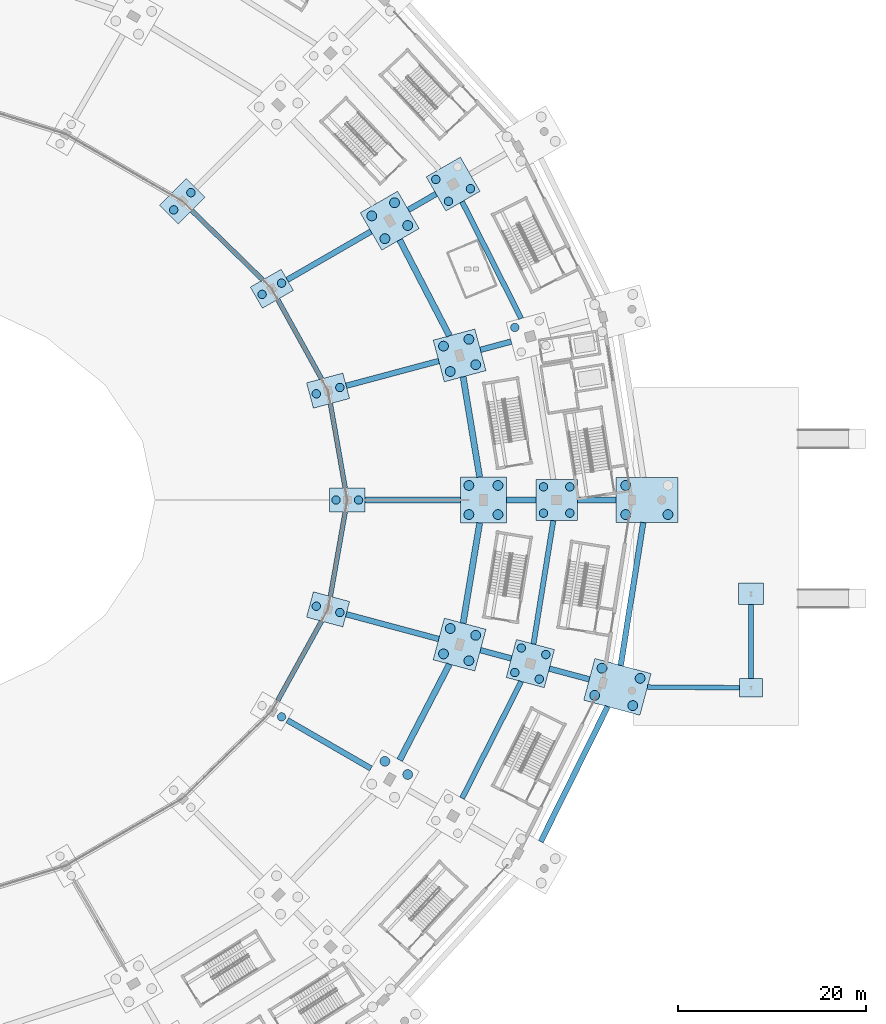
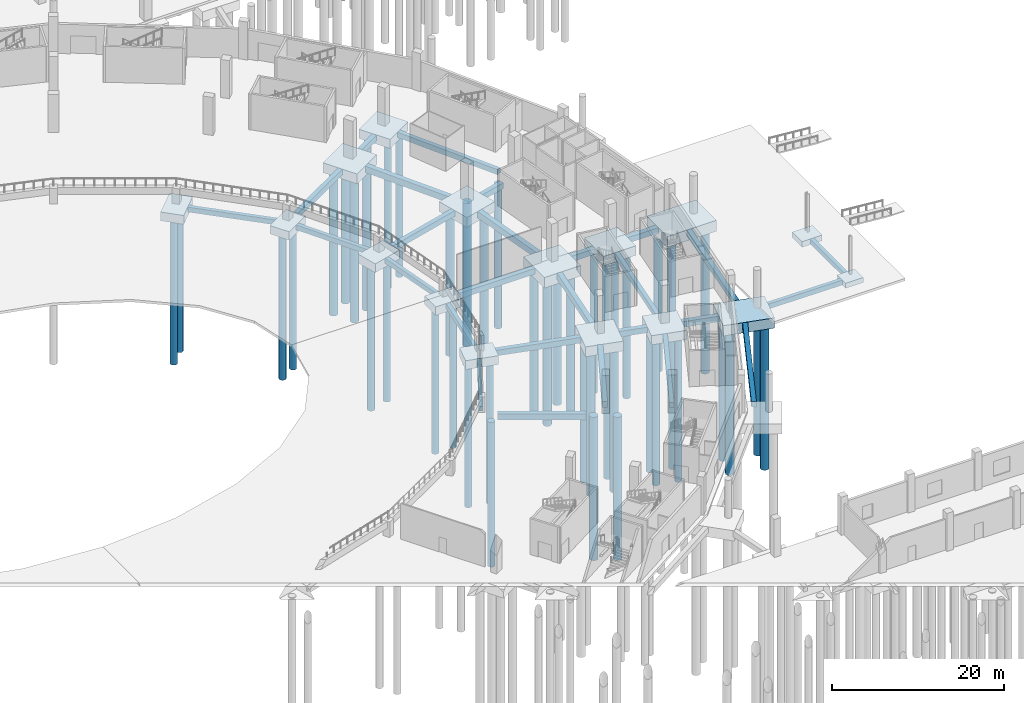
# One storey, part 8 of 103: 48 piles, 43 footings.
"""IFC4 building model written with IfcOpenShell, lengths in metres."""

from ifc_helpers import new_model, si_unit, direction, frame, origin, origin_2d, place, context, subcontext, project, spatial, rectangle, circle, extrude, material, material_profile, profile_set, type_object, element, save


model = new_model("IFC4")

# Units and contexts
model_context = context("Model", 3, precision=1e-05, world=origin(), true_north=direction((0.0, 1.0)))
body_context = subcontext(model_context, "Body", "Model", "MODEL_VIEW")
ifc_project = project(units=[si_unit("LENGTHUNIT", "METRE"), si_unit("AREAUNIT", "SQUARE_METRE"), si_unit("VOLUMEUNIT", "CUBIC_METRE"), si_unit("PLANEANGLEUNIT", "RADIAN"), si_unit("MASSUNIT", "GRAM", prefix="KILO")], contexts=[model_context])

# Site, building, storey
site_placement = place(None, origin())
site = spatial("IfcSite", under=ifc_project, at=site_placement, CompositionType="ELEMENT")
building_placement = place(site_placement, origin())
building = spatial("IfcBuilding", under=site, at=building_placement, Name="Zevraka Park Crest Stadium", CompositionType="ELEMENT")
storey_placement = place(building_placement, origin())
storey = spatial("IfcBuildingStorey", under=building, at=storey_placement, Name="L00", CompositionType="ELEMENT", Elevation=0.0)

# Footings
ifc_material_1 = material(Name="Concrete C35/45", Category="concrete")
ifc_material_profile_1 = material_profile(ifc_material_1, rectangle(XDim=0.60009765625, YDim=0.800048828125, at=origin_2d()), Name="GB 800x600")
ifc_profile_set_1 = profile_set([ifc_material_profile_1], Name="Concrete C35/45")
footing_type_1 = type_object("IfcFootingType", Name="GB01", PredefinedType="FOOTING_BEAM", material=ifc_profile_set_1)
footing_1_placement = place(storey_placement, frame((173.89990234375, 92.0, -0.75), z_axis=(1.0, 0.0, 0.0), x_axis=(0.0, 1.0, 0.0)))
element("IfcFooting", 1, at=footing_1_placement, inside=storey, type_object=footing_type_1, Name="Ground Tie Beam GB01 RAD-AB-00", PredefinedType="FOOTING_BEAM", context=body_context, shape_type="SweptSolid", body=[
    extrude(rectangle(XDim=0.60009765625, YDim=0.800048828125, at=origin_2d()), origin(), (0.0, 0.0, 1.0), 10.150146484375),
])
footing_2_placement = place(storey_placement, frame((188.949951171875, 92.0, -0.75), z_axis=(1.0, 0.0, 0.0), x_axis=(0.0, 1.0, 0.0)))
element("IfcFooting", 2, at=footing_2_placement, inside=storey, type_object=footing_type_1, Name="Ground Tie Beam GB01 RAD-BC-00", PredefinedType="FOOTING_BEAM", context=body_context, shape_type="SweptSolid", body=[
    extrude(rectangle(XDim=0.60009765625, YDim=0.800048828125, at=origin_2d()), origin(), (0.0, 0.0, 1.0), 3.150146484375),
])
footing_3_placement = place(storey_placement, frame((196.5, 92.0, -0.75), z_axis=(1.0, 0.0, 0.0), x_axis=(0.0, 1.0, 0.0)))
element("IfcFooting", 3, at=footing_3_placement, inside=storey, type_object=footing_type_1, Name="Ground Tie Beam GB01 RAD-CDE-00", PredefinedType="FOOTING_BEAM", context=body_context, shape_type="SweptSolid", body=[
    extrude(rectangle(XDim=0.60009765625, YDim=0.800048828125, at=origin_2d()), origin(), (0.0, 0.0, 1.0), 4.10009765625),
])
footing_4_placement = place(storey_placement, frame((171.887939453125, 104.1650390625, -0.75), z_axis=(0.965918344594, 0.258846965554, 0.0), x_axis=(-0.258846965554, 0.965918344594, 0.0)))
element("IfcFooting", 4, at=footing_4_placement, inside=storey, type_object=footing_type_1, Name="Ground Tie Beam GB01 RAD-AB-01", PredefinedType="FOOTING_BEAM", context=body_context, shape_type="SweptSolid", body=[
    extrude(rectangle(XDim=0.60009765625, YDim=0.800048828125, at=origin_2d()), origin(), (0.0, 0.0, 1.0), 10.19873046875),
])
footing_5_placement = place(storey_placement, frame((186.18310546875, 107.9951171875, -0.75), z_axis=(0.965948371903, 0.258734889063, 0.0), x_axis=(-0.258734889063, 0.965948371903, 0.0)))
element("IfcFooting", 5, at=footing_5_placement, inside=storey, type_object=footing_type_1, Name="Ground Tie Beam GB01 RAD-BC-01", PredefinedType="FOOTING_BEAM", context=body_context, shape_type="SweptSolid", body=[
    extrude(rectangle(XDim=0.60009765625, YDim=0.800048828125, at=origin_2d()), origin(), (0.0, 0.0, 1.0), 3.400634765625),
])
footing_6_placement = place(storey_placement, frame((165.60693359375, 115.449951171875, -0.75), z_axis=(0.866021778534, 0.500006279065, 0.0), x_axis=(-0.500006279065, 0.866021778534, 0.0)))
element("IfcFooting", 6, at=footing_6_placement, inside=storey, type_object=footing_type_1, Name="Ground Tie Beam GB01 RAD-AB-02", PredefinedType="FOOTING_BEAM", context=body_context, shape_type="SweptSolid", body=[
    extrude(rectangle(XDim=0.60009765625, YDim=0.800048828125, at=origin_2d()), origin(), (0.0, 0.0, 1.0), 10.300048828125),
])
footing_7_placement = place(storey_placement, frame((178.510986328125, 122.89990234375, -0.75), z_axis=(0.865971507594, 0.500093339322, 0.0), x_axis=(-0.500093339322, 0.865971507594, 0.0)))
element("IfcFooting", 7, at=footing_7_placement, inside=storey, type_object=footing_type_1, Name="Ground Tie Beam GB01 RAD-BC-02", PredefinedType="FOOTING_BEAM", context=body_context, shape_type="SweptSolid", body=[
    extrude(rectangle(XDim=0.60009765625, YDim=0.800048828125, at=origin_2d()), origin(), (0.0, 0.0, 1.0), 3.399658203125),
])
footing_8_placement = place(storey_placement, frame((165.60693359375, 68.550048828125, -0.75), z_axis=(0.866021778534, -0.500006279065, 0.0), x_axis=(0.500006279065, 0.866021778534, 0.0)))
element("IfcFooting", 8, at=footing_8_placement, inside=storey, type_object=footing_type_1, Name="Ground Tie Beam GB01 RAD-AB-22", PredefinedType="FOOTING_BEAM", context=body_context, shape_type="SweptSolid", body=[
    extrude(rectangle(XDim=0.60009765625, YDim=0.800048828125, at=origin_2d()), origin(), (0.0, 0.0, 1.0), 10.300048828125),
])
footing_9_placement = place(storey_placement, frame((192.610107421875, 55.615966796875, -0.75), z_axis=(0.443637192232, 0.896206472677, 0.0), x_axis=(-0.896206472677, 0.443637192232, 0.0)))
element("IfcFooting", 9, at=footing_9_placement, inside=storey, type_object=footing_type_1, Name="Ground Tie Beam GB01 CIR-DE-22", PredefinedType="FOOTING_BEAM", context=body_context, shape_type="SweptSolid", body=[
    extrude(rectangle(XDim=0.60009765625, YDim=0.800048828125, at=origin_2d()), origin(), (0.0, 0.0, 1.0), 16.04443359375),
])
footing_10_placement = place(storey_placement, frame((171.887939453125, 79.8349609375, -0.75), z_axis=(0.965918344594, -0.258846965554, 0.0), x_axis=(0.258846965554, 0.965918344594, 0.0)))
element("IfcFooting", 10, at=footing_10_placement, inside=storey, type_object=footing_type_1, Name="Ground Tie Beam GB01 RAD-AB-23", PredefinedType="FOOTING_BEAM", context=body_context, shape_type="SweptSolid", body=[
    extrude(rectangle(XDim=0.60009765625, YDim=0.800048828125, at=origin_2d()), origin(), (0.0, 0.0, 1.0), 10.19873046875),
])
footing_11_placement = place(storey_placement, frame((186.18310546875, 76.0048828125, -0.75), z_axis=(0.965948371903, -0.258734889063, 0.0), x_axis=(0.258734889063, 0.965948371903, 0.0)))
element("IfcFooting", 11, at=footing_11_placement, inside=storey, type_object=footing_type_1, Name="Ground Tie Beam GB01 RAD-BC-23", PredefinedType="FOOTING_BEAM", context=body_context, shape_type="SweptSolid", body=[
    extrude(rectangle(XDim=0.60009765625, YDim=0.800048828125, at=origin_2d()), origin(), (0.0, 0.0, 1.0), 3.400634765625),
])
footing_12_placement = place(storey_placement, frame((193.52392578125, 74.0380859375, -0.75), z_axis=(0.965919326313, -0.258843302124, 0.0), x_axis=(0.258843302124, 0.965919326313, 0.0)))
element("IfcFooting", 12, at=footing_12_placement, inside=storey, type_object=footing_type_1, Name="Ground Tie Beam GB01 RAD-CDE-23", PredefinedType="FOOTING_BEAM", context=body_context, shape_type="SweptSolid", body=[
    extrude(rectangle(XDim=0.60009765625, YDim=0.800048828125, at=origin_2d()), origin(), (0.0, 0.0, 1.0), 4.40087890625),
])
footing_13_placement = place(storey_placement, frame((201.1279296875, 74.382080078125, -0.75), z_axis=(0.155405085969, 0.987850828443, 0.0), x_axis=(-0.987850828443, 0.155405085969, 0.0)))
element("IfcFooting", 13, at=footing_13_placement, inside=storey, type_object=footing_type_1, Name="Ground Tie Beam GB01 CIR-DE-23", PredefinedType="FOOTING_BEAM", context=body_context, shape_type="SweptSolid", body=[
    extrude(rectangle(XDim=0.60009765625, YDim=0.800048828125, at=origin_2d()), origin(), (0.0, 0.0, 1.0), 15.4052734375),
])
ifc_material_2 = material(Name="Concrete C35/45", Category="concrete")
ifc_material_profile_2 = material_profile(ifc_material_2, rectangle(XDim=0.5, YDim=0.699951171875, at=origin_2d()), Name="GB 700x500")
ifc_profile_set_2 = profile_set([ifc_material_profile_2], Name="Concrete C35/45")
footing_type_2 = type_object("IfcFootingType", Name="GB02", PredefinedType="FOOTING_BEAM", material=ifc_profile_set_2)
footing_14_placement = place(storey_placement, frame((171.77197265625, 93.300048828125, -0.699951171875), z_axis=(-0.172859296202, 0.984946528354, 0.0), x_axis=(-0.984946528354, -0.172859296202, 0.0)))
element("IfcFooting", 14, at=footing_14_placement, inside=storey, type_object=footing_type_2, Name="Ground Tie Beam GB02 CIR-A-00", PredefinedType="FOOTING_BEAM", context=body_context, shape_type="SweptSolid", body=[
    extrude(rectangle(XDim=0.5, YDim=0.699951171875, at=origin_2d()), origin(), (0.0, 0.0, 1.0), 9.099853515625),
])
footing_15_placement = place(storey_placement, frame((169.259033203125, 104.909912109375, -0.699951171875), z_axis=(-0.483451620056, 0.875371081922, 0.0), x_axis=(-0.875371081922, -0.483451620056, 0.0)))
element("IfcFooting", 15, at=footing_15_placement, inside=storey, type_object=footing_type_2, Name="Ground Tie Beam GB02 CIR-A-01", PredefinedType="FOOTING_BEAM", context=body_context, shape_type="SweptSolid", body=[
    extrude(rectangle(XDim=0.5, YDim=0.699951171875, at=origin_2d()), origin(), (0.0, 0.0, 1.0), 9.655517578125),
])
footing_16_placement = place(storey_placement, frame((162.99609375, 115.444091796875, -0.699951171875), z_axis=(-0.715191657617, 0.698928388946, 0.0), x_axis=(-0.698928388946, -0.715191657617, 0.0)))
element("IfcFooting", 16, at=footing_16_placement, inside=storey, type_object=footing_type_2, Name="Ground Tie Beam GB02 CIR-A-02", PredefinedType="FOOTING_BEAM", context=body_context, shape_type="SweptSolid", body=[
    extrude(rectangle(XDim=0.5, YDim=0.699951171875, at=origin_2d()), origin(), (0.0, 0.0, 1.0), 10.583251953125),
])
footing_17_placement = place(storey_placement, frame((164.591064453125, 70.637939453125, -0.699951171875), z_axis=(0.483451620056, 0.875371081922, 0.0), x_axis=(-0.875371081922, 0.483451620056, 0.0)))
element("IfcFooting", 17, at=footing_17_placement, inside=storey, type_object=footing_type_2, Name="Ground Tie Beam GB02 CIR-A-22", PredefinedType="FOOTING_BEAM", context=body_context, shape_type="SweptSolid", body=[
    extrude(rectangle(XDim=0.5, YDim=0.699951171875, at=origin_2d()), origin(), (0.0, 0.0, 1.0), 9.655517578125),
])
footing_18_placement = place(storey_placement, frame((170.198974609375, 81.737060546875, -0.699951171875), z_axis=(0.172859296202, 0.984946528354, 0.0), x_axis=(-0.984946528354, 0.172859296202, 0.0)))
element("IfcFooting", 18, at=footing_18_placement, inside=storey, type_object=footing_type_2, Name="Ground Tie Beam GB02 CIR-A-23", PredefinedType="FOOTING_BEAM", context=body_context, shape_type="SweptSolid", body=[
    extrude(rectangle(XDim=0.5, YDim=0.699951171875, at=origin_2d()), origin(), (0.0, 0.0, 1.0), 9.099853515625),
])
footing_19_placement = place(storey_placement, frame((215.0, 73.0, -0.699951171875), z_axis=(0.0, 1.0, 0.0), x_axis=(-1.0, 0.0, 0.0)))
element("IfcFooting", 19, at=footing_19_placement, inside=storey, type_object=footing_type_2, Name="Ground Tie Beam GB02 PADE-1", PredefinedType="FOOTING_BEAM", context=body_context, shape_type="SweptSolid", body=[
    extrude(rectangle(XDim=0.5, YDim=0.699951171875, at=origin_2d()), origin(), (0.0, 0.0, 1.0), 7.85009765625),
])
footing_20_placement = place(storey_placement, frame((213.800048828125, 72.008056640625, -0.699951171875), z_axis=(-0.999976832397, 0.00680695747, 0.0), x_axis=(-0.00680695747, -0.999976832397, 0.0)))
element("IfcFooting", 20, at=footing_20_placement, inside=storey, type_object=footing_type_2, Name="Ground Tie Beam GB02 PADE-TIE", PredefinedType="FOOTING_BEAM", context=body_context, shape_type="SweptSolid", body=[
    extrude(rectangle(XDim=0.5, YDim=0.699951171875, at=origin_2d()), origin(), (0.0, 0.0, 1.0), 9.827392578125),
])
ifc_material_3 = material(Name="Concrete C35/45", Category="concrete")
ifc_material_profile_3 = material_profile(ifc_material_3, rectangle(XDim=0.64990234375, YDim=0.89990234375, at=origin_2d()), Name="GB 900x650")
ifc_profile_set_3 = profile_set([ifc_material_profile_3], Name="Concrete C35/45")
footing_type_3 = type_object("IfcFootingType", Name="GB03", PredefinedType="FOOTING_BEAM", material=ifc_profile_set_3)
footing_21_placement = place(storey_placement, frame((186.095947265625, 94.449951171875, -0.800048828125), z_axis=(-0.162659772951, 0.986682217466, 0.0), x_axis=(-0.986682217466, -0.162659772951, 0.0)))
element("IfcFooting", 21, at=footing_21_placement, inside=storey, type_object=footing_type_3, Name="Ground Tie Beam GB03 CIR-B-00", PredefinedType="FOOTING_BEAM", context=body_context, shape_type="SweptSolid", body=[
    extrude(rectangle(XDim=0.64990234375, YDim=0.89990234375, at=origin_2d()), origin(), (0.0, 0.0, 1.0), 10.814208984375),
])
for number, where, z_axis, x_axis, name in (
    (22, (182.876953125, 109.490966796875, -0.800048828125), (-0.460395193039, 0.887714067832, 0.0), (-0.887714067832, -0.460395193039, 0.0), "Ground Tie Beam GB03 CIR-B-01"),
    (23, (177.5791015625, 64.2939453125, -0.800048828125), (0.460395193039, 0.887714067832, 0.0), (-0.887714067832, 0.460395193039, 0.0), "Ground Tie Beam GB03 CIR-B-22"),
):
    element("IfcFooting", number, at=place(storey_placement, frame(where, z_axis=z_axis, x_axis=x_axis)), inside=storey, type_object=footing_type_3, Name=name, PredefinedType="FOOTING_BEAM", context=body_context, shape_type="SweptSolid", body=[
        extrude(rectangle(XDim=0.64990234375, YDim=0.89990234375, at=origin_2d()), origin(), (0.0, 0.0, 1.0), 11.507080078125),
    ])
footing_22_placement = place(storey_placement, frame((184.3369140625, 78.8798828125, -0.800048828125), z_axis=(0.162659772951, 0.986682217466, 0.0), x_axis=(-0.986682217466, 0.162659772951, 0.0)))
element("IfcFooting", 24, at=footing_22_placement, inside=storey, type_object=footing_type_3, Name="Ground Tie Beam GB03 CIR-B-23", PredefinedType="FOOTING_BEAM", context=body_context, shape_type="SweptSolid", body=[
    extrude(rectangle(XDim=0.64990234375, YDim=0.89990234375, at=origin_2d()), origin(), (0.0, 0.0, 1.0), 10.814208984375),
])
ifc_material_4 = material(Name="Concrete C35/45", Category="concrete")
ifc_material_profile_4 = material_profile(ifc_material_4, rectangle(XDim=0.550048828125, YDim=0.75, at=origin_2d()), Name="GB 750x550")
ifc_profile_set_4 = profile_set([ifc_material_profile_4], Name="Concrete C35/45")
footing_type_4 = type_object("IfcFootingType", Name="GB04", PredefinedType="FOOTING_BEAM", material=ifc_profile_set_4)
for number, where, z_axis, x_axis, name in (
    (25, (190.52587890625, 111.3330078125, -0.72509765625), (-0.451871179717, 0.892083200683, 0.0), (-0.892083200683, -0.451871179717, 0.0), "Ground Tie Beam GB04 CIR-C-01"),
    (26, (184.22412109375, 60.22607421875, -0.72509765625), (0.451871179717, 0.892083200683, 0.0), (-0.892083200683, 0.451871179717, 0.0), "Ground Tie Beam GB04 CIR-C-22"),
):
    element("IfcFooting", number, at=place(storey_placement, frame(where, z_axis=z_axis, x_axis=x_axis)), inside=storey, type_object=footing_type_4, Name=name, PredefinedType="FOOTING_BEAM", context=body_context, shape_type="SweptSolid", body=[
        extrude(rectangle(XDim=0.550048828125, YDim=0.75, at=origin_2d()), origin(), (0.0, 0.0, 1.0), 13.94580078125),
    ])
footing_23_placement = place(storey_placement, frame((191.8310546875, 76.6650390625, -0.72509765625), z_axis=(0.158971653084, 0.98728314759, 0.0), x_axis=(-0.98728314759, 0.158971653084, 0.0)))
element("IfcFooting", 27, at=footing_23_placement, inside=storey, type_object=footing_type_4, Name="Ground Tie Beam GB04 CIR-C-23", PredefinedType="FOOTING_BEAM", context=body_context, shape_type="SweptSolid", body=[
    extrude(rectangle(XDim=0.550048828125, YDim=0.75, at=origin_2d()), origin(), (0.0, 0.0, 1.0), 13.30419921875),
])
ifc_material_5 = material(Name="Concrete C35/45", Category="concrete")
footing_type_5 = type_object("IfcFootingType", Name="PC01", PredefinedType="PILE_CAP", material=ifc_material_5)
for number, where, z_axis, x_axis, name in (
    (28, (172.0, 92.0, -1.5498046875), (0.0, 0.0, 1.0), (1.0, 0.0, 0.0), "Foundation PC01 A-00"),
    (29, (163.9619140625, 114.5, -1.5498046875), (0.0, 0.0, 1.0), (0.866025403784, 0.5, 0.0), "Foundation PC01 A-02"),
):
    element("IfcFooting", number, at=place(storey_placement, frame(where, z_axis=z_axis, x_axis=x_axis)), inside=storey, type_object=footing_type_5, Name=name, PredefinedType="PILE_CAP", context=body_context, shape_type="SweptSolid", body=[
        extrude(rectangle(XDim=3.800048828125, YDim=2.60009765625, at=origin_2d()), origin(), (0.0, 0.0, 1.0), 1.199951171875),
    ])
ifc_material_6 = material(Name="Concrete C35/45", Category="concrete")
footing_type_6 = type_object("IfcFootingType", Name="PC02", PredefinedType="PILE_CAP", material=ifc_material_6)
for number, where, z_axis, x_axis, name in (
    (30, (169.9560546875, 103.64697265625, -1.60009765625), (0.0, 0.0, 1.0), (0.965925826289, 0.258819045103, 0.0), "Foundation PC02 A-01"),
    (31, (154.426025390625, 123.820068359375, -1.60009765625), (0.0, 0.0, 1.0), (0.707106781187, 0.707106781187, 0.0), "Foundation PC02 A-03"),
    (32, (169.9560546875, 80.35302734375, -1.60009765625), (0.0, 0.0, 1.0), (-0.965925826289, 0.258819045103, 0.0), "Foundation PC02 A-23"),
):
    element("IfcFooting", number, at=place(storey_placement, frame(where, z_axis=z_axis, x_axis=x_axis)), inside=storey, type_object=footing_type_6, Name=name, PredefinedType="PILE_CAP", context=body_context, shape_type="SweptSolid", body=[
        extrude(rectangle(XDim=4.0, YDim=2.800048828125, at=origin_2d()), origin(), (0.0, 0.0, 1.0), 1.25),
    ])
ifc_material_7 = material(Name="Concrete C35/45", Category="concrete")
footing_type_7 = type_object("IfcFootingType", Name="PC03", PredefinedType="PILE_CAP", material=ifc_material_7)
for number, where, z_axis, x_axis, name in (
    (33, (183.9609375, 107.39990234375, -1.75), (0.0, 0.0, 1.0), (0.965925826289, 0.258819045103, 0.0), "Foundation PC03 B-01"),
    (34, (176.51904296875, 121.75, -1.75), (0.0, 0.0, 1.0), (0.866025403784, 0.5, 0.0), "Foundation PC03 B-02"),
    (35, (183.9609375, 76.60009765625, -1.75), (0.0, 0.0, 1.0), (-0.965925826289, 0.258819045103, 0.0), "Foundation PC03 B-23"),
):
    element("IfcFooting", number, at=place(storey_placement, frame(where, z_axis=z_axis, x_axis=x_axis)), inside=storey, type_object=footing_type_7, Name=name, PredefinedType="PILE_CAP", context=body_context, shape_type="SweptSolid", body=[
        extrude(rectangle(XDim=4.60009765625, YDim=4.60009765625, at=origin_2d()), origin(), (0.0, 0.0, 1.0), 1.39990234375),
    ])
ifc_material_8 = material(Name="Concrete C35/45", Category="concrete")
footing_type_8 = type_object("IfcFootingType", Name="PC04", PredefinedType="PILE_CAP", material=ifc_material_8)
footing_24_placement = place(storey_placement, frame((186.5, 92.0, -1.85009765625), z_axis=(0.0, 0.0, 1.0), x_axis=(1.0, 0.0, 0.0)))
element("IfcFooting", 36, at=footing_24_placement, inside=storey, type_object=footing_type_8, Name="Foundation PC04 B-00", PredefinedType="PILE_CAP", context=body_context, shape_type="SweptSolid", body=[
    extrude(rectangle(XDim=4.89990234375, YDim=4.89990234375, at=origin_2d()), origin(), (0.0, 0.0, 1.0), 1.5),
])
ifc_material_9 = material(Name="Concrete C35/45", Category="concrete")
footing_type_9 = type_object("IfcFootingType", Name="PC05", PredefinedType="PILE_CAP", material=ifc_material_9)
for number, where, z_axis, x_axis, name in (
    (37, (183.27392578125, 125.64990234375, -1.64990234375), (0.0, 0.0, 1.0), (0.866025403784, 0.5, 0.0), "Foundation PC05 C-02"),
    (38, (191.49609375, 74.5810546875, -1.64990234375), (0.0, 0.0, 1.0), (-0.965925826289, 0.258819045103, 0.0), "Foundation PC05 C-23"),
):
    element("IfcFooting", number, at=place(storey_placement, frame(where, z_axis=z_axis, x_axis=x_axis)), inside=storey, type_object=footing_type_9, Name=name, PredefinedType="PILE_CAP", context=body_context, shape_type="SweptSolid", body=[
        extrude(rectangle(XDim=4.199951171875, YDim=4.199951171875, at=origin_2d()), origin(), (0.0, 0.0, 1.0), 1.300048828125),
    ])
ifc_material_10 = material(Name="Concrete C35/45", Category="concrete")
footing_type_10 = type_object("IfcFootingType", Name="PC06", PredefinedType="PILE_CAP", material=ifc_material_10)
footing_25_placement = place(storey_placement, frame((194.300048828125, 92.0, -1.699951171875), z_axis=(0.0, 0.0, 1.0), x_axis=(1.0, 0.0, 0.0)))
element("IfcFooting", 39, at=footing_25_placement, inside=storey, type_object=footing_type_10, Name="Foundation PC06 C-00", PredefinedType="PILE_CAP", context=body_context, shape_type="SweptSolid", body=[
    extrude(rectangle(XDim=4.39990234375, YDim=4.39990234375, at=origin_2d()), origin(), (0.0, 0.0, 1.0), 1.35009765625),
])
ifc_material_11 = material(Name="Concrete C35/45", Category="concrete")
footing_type_11 = type_object("IfcFootingType", Name="PC07", PredefinedType="PILE_CAP", material=ifc_material_11)
footing_26_placement = place(storey_placement, frame((200.76904296875, 72.096923828125, -1.7998046875), z_axis=(0.0, 0.0, 1.0), x_axis=(-0.965925826289, 0.258819045103, 0.0)))
element("IfcFooting", 40, at=footing_26_placement, inside=storey, type_object=footing_type_11, Name="Foundation PC07 DE-23", PredefinedType="PILE_CAP", context=body_context, shape_type="SweptSolid", body=[
    extrude(rectangle(XDim=6.199951171875, YDim=4.60009765625, at=origin_2d()), origin(), (0.0, 0.0, 1.0), 1.449951171875),
])
ifc_material_12 = material(Name="Concrete C35/45", Category="concrete")
footing_type_12 = type_object("IfcFootingType", Name="PC08", PredefinedType="PILE_CAP", material=ifc_material_12)
footing_27_placement = place(storey_placement, frame((203.89990234375, 92.0, -1.89990234375), z_axis=(0.0, 0.0, 1.0), x_axis=(1.0, 0.0, 0.0)))
element("IfcFooting", 41, at=footing_27_placement, inside=storey, type_object=footing_type_12, Name="Foundation PC08 DE-00", PredefinedType="PILE_CAP", context=body_context, shape_type="SweptSolid", body=[
    extrude(rectangle(XDim=6.60009765625, YDim=4.800048828125, at=origin_2d()), origin(), (0.0, 0.0, 1.0), 1.550048828125),
])
ifc_material_13 = material(Name="Concrete C35/45", Category="concrete")
footing_type_13 = type_object("IfcFootingType", Name="PF05", PredefinedType="PAD_FOOTING", material=ifc_material_13)
footing_28_placement = place(storey_placement, frame((215.0, 72.0, -1.0498046875), z_axis=(0.0, 0.0, 1.0), x_axis=(1.0, 0.0, 0.0)))
element("IfcFooting", 42, at=footing_28_placement, inside=storey, type_object=footing_type_13, Name="Foundation PF05 PAD-E1", PredefinedType="PAD_FOOTING", context=body_context, shape_type="SweptSolid", body=[
    extrude(rectangle(XDim=2.39990234375, YDim=2.0, at=origin_2d()), origin(), (0.0, 0.0, 1.0), 0.699951171875),
])
ifc_material_14 = material(Name="Concrete C35/45", Category="concrete")
footing_type_14 = type_object("IfcFootingType", Name="PF06", PredefinedType="PAD_FOOTING", material=ifc_material_14)
footing_29_placement = place(storey_placement, frame((215.0, 82.0, -1.14990234375), z_axis=(0.0, 0.0, 1.0), x_axis=(1.0, 0.0, 0.0)))
element("IfcFooting", 43, at=footing_29_placement, inside=storey, type_object=footing_type_14, Name="Foundation PF06 PAD-E2", PredefinedType="PAD_FOOTING", context=body_context, shape_type="SweptSolid", body=[
    extrude(rectangle(XDim=2.699951171875, YDim=2.300048828125, at=origin_2d()), origin(), (0.0, 0.0, 1.0), 0.800048828125),
])

# Piles
ifc_material_15 = material(Name="Concrete C35/45", Category="concrete")
ifc_material_profile_5 = material_profile(ifc_material_15, circle(Radius=0.449951171875, at=origin_2d()), Name="PILE D900")
ifc_profile_set_5 = profile_set([ifc_material_profile_5], Name="Concrete C35/45")
pile_type_1 = type_object("IfcPileType", Name="PL01", PredefinedType="BORED", material=ifc_profile_set_5)
for number, where, z_axis, x_axis, name in (
    (44, (170.800048828125, 92.0, -1.449951171875), (0.0, 0.0, -1.0), (1.0, 0.0, 0.0), "Bored Pile PL01 A-00-1"),
    (45, (173.199951171875, 92.0, -1.449951171875), (0.0, 0.0, -1.0), (1.0, 0.0, 0.0), "Bored Pile PL01 A-00-2"),
):
    element("IfcPile", number, at=place(storey_placement, frame(where, z_axis=z_axis, x_axis=x_axis)), inside=storey, type_object=pile_type_1, Name=name, PredefinedType="BORED", context=body_context, shape_type="SweptSolid", body=[
        extrude(circle(Radius=0.449951171875, at=origin_2d()), origin(), (0.0, 0.0, 1.0), 20.550048828125),
    ])
for number, where, z_axis, x_axis, name in (
    (46, (192.89990234375, 90.60009765625, -1.60009765625), (0.0, 0.0, -1.0), (1.0, 0.0, 0.0), "Bored Pile PL01 C-00-1"),
    (47, (195.699951171875, 90.60009765625, -1.60009765625), (0.0, 0.0, -1.0), (1.0, 0.0, 0.0), "Bored Pile PL01 C-00-2"),
    (48, (192.89990234375, 93.39990234375, -1.60009765625), (0.0, 0.0, -1.0), (1.0, 0.0, 0.0), "Bored Pile PL01 C-00-3"),
    (49, (195.699951171875, 93.39990234375, -1.60009765625), (0.0, 0.0, -1.0), (1.0, 0.0, 0.0), "Bored Pile PL01 C-00-4"),
):
    element("IfcPile", number, at=place(storey_placement, frame(where, z_axis=z_axis, x_axis=x_axis)), inside=storey, type_object=pile_type_1, Name=name, PredefinedType="BORED", context=body_context, shape_type="SweptSolid", body=[
        extrude(circle(Radius=0.449951171875, at=origin_2d()), origin(), (0.0, 0.0, 1.0), 20.39990234375),
    ])
for number, where, z_axis, x_axis, name in (
    (50, (168.699951171875, 103.31103515625, -1.5), (0.0, 0.0, -1.0), (1.0, 0.0, 0.0), "Bored Pile PL01 A-01-1"),
    (51, (171.2119140625, 103.98291015625, -1.5), (0.0, 0.0, -1.0), (1.0, 0.0, 0.0), "Bored Pile PL01 A-01-2"),
):
    element("IfcPile", number, at=place(storey_placement, frame(where, z_axis=z_axis, x_axis=x_axis)), inside=storey, type_object=pile_type_1, Name=name, PredefinedType="BORED", context=body_context, shape_type="SweptSolid", body=[
        extrude(circle(Radius=0.449951171875, at=origin_2d()), origin(), (0.0, 0.0, 1.0), 20.5),
    ])
pile_1_placement = place(storey_placement, frame((189.843017578125, 110.3740234375, -1.550048828125), z_axis=(0.0, 0.0, -1.0), x_axis=(1.0, 0.0, 0.0)))
element("IfcPile", 52, at=pile_1_placement, inside=storey, type_object=pile_type_1, Name="Bored Pile PL01 C-01-3", PredefinedType="BORED", context=body_context, shape_type="SweptSolid", body=[
    extrude(circle(Radius=0.449951171875, at=origin_2d()), origin(), (0.0, 0.0, 1.0), 20.449951171875),
])
for number, where, z_axis, x_axis, name in (
    (53, (162.923095703125, 113.89990234375, -1.449951171875), (0.0, 0.0, -1.0), (1.0, 0.0, 0.0), "Bored Pile PL01 A-02-1"),
    (54, (165.0009765625, 115.10009765625, -1.449951171875), (0.0, 0.0, -1.0), (1.0, 0.0, 0.0), "Bored Pile PL01 A-02-2"),
):
    element("IfcPile", number, at=place(storey_placement, frame(where, z_axis=z_axis, x_axis=x_axis)), inside=storey, type_object=pile_type_1, Name=name, PredefinedType="BORED", context=body_context, shape_type="SweptSolid", body=[
        extrude(circle(Radius=0.449951171875, at=origin_2d()), origin(), (0.0, 0.0, 1.0), 20.550048828125),
    ])
for number, where, z_axis, x_axis, name in (
    (55, (182.780029296875, 123.805908203125, -1.550048828125), (0.0, 0.0, -1.0), (1.0, 0.0, 0.0), "Bored Pile PL01 C-02-1"),
    (56, (185.117919921875, 125.156005859375, -1.550048828125), (0.0, 0.0, -1.0), (1.0, 0.0, 0.0), "Bored Pile PL01 C-02-2"),
    (57, (181.429931640625, 126.14404296875, -1.550048828125), (0.0, 0.0, -1.0), (1.0, 0.0, 0.0), "Bored Pile PL01 C-02-3"),
):
    element("IfcPile", number, at=place(storey_placement, frame(where, z_axis=z_axis, x_axis=x_axis)), inside=storey, type_object=pile_type_1, Name=name, PredefinedType="BORED", context=body_context, shape_type="SweptSolid", body=[
        extrude(circle(Radius=0.449951171875, at=origin_2d()), origin(), (0.0, 0.0, 1.0), 20.449951171875),
    ])
for number, where, z_axis, x_axis, name in (
    (58, (153.507080078125, 122.90087890625, -1.5), (0.0, 0.0, -1.0), (1.0, 0.0, 0.0), "Bored Pile PL01 A-03-1"),
    (59, (155.344970703125, 124.739013671875, -1.5), (0.0, 0.0, -1.0), (1.0, 0.0, 0.0), "Bored Pile PL01 A-03-2"),
):
    element("IfcPile", number, at=place(storey_placement, frame(where, z_axis=z_axis, x_axis=x_axis)), inside=storey, type_object=pile_type_1, Name=name, PredefinedType="BORED", context=body_context, shape_type="SweptSolid", body=[
        extrude(circle(Radius=0.449951171875, at=origin_2d()), origin(), (0.0, 0.0, 1.0), 20.5),
    ])
pile_2_placement = place(storey_placement, frame((165.0009765625, 68.89990234375, -1.449951171875), z_axis=(0.0, 0.0, -1.0), x_axis=(1.0, 0.0, 0.0)))
element("IfcPile", 60, at=pile_2_placement, inside=storey, type_object=pile_type_1, Name="Bored Pile PL01 A-22-1", PredefinedType="BORED", context=body_context, shape_type="SweptSolid", body=[
    extrude(circle(Radius=0.449951171875, at=origin_2d()), origin(), (0.0, 0.0, 1.0), 20.550048828125),
])
for number, where, z_axis, x_axis, name in (
    (61, (171.2119140625, 80.01708984375, -1.5), (0.0, 0.0, -1.0), (1.0, 0.0, 0.0), "Bored Pile PL01 A-23-1"),
    (62, (168.699951171875, 80.68896484375, -1.5), (0.0, 0.0, -1.0), (1.0, 0.0, 0.0), "Bored Pile PL01 A-23-2"),
):
    element("IfcPile", number, at=place(storey_placement, frame(where, z_axis=z_axis, x_axis=x_axis)), inside=storey, type_object=pile_type_1, Name=name, PredefinedType="BORED", context=body_context, shape_type="SweptSolid", body=[
        extrude(circle(Radius=0.449951171875, at=origin_2d()), origin(), (0.0, 0.0, 1.0), 20.5),
    ])
for number, where, z_axis, x_axis, name in (
    (63, (193.14892578125, 75.535888671875, -1.550048828125), (0.0, 0.0, -1.0), (1.0, 0.0, 0.0), "Bored Pile PL01 C-23-1"),
    (64, (190.541015625, 76.23388671875, -1.550048828125), (0.0, 0.0, -1.0), (1.0, 0.0, 0.0), "Bored Pile PL01 C-23-2"),
    (65, (192.450927734375, 72.927978515625, -1.550048828125), (0.0, 0.0, -1.0), (1.0, 0.0, 0.0), "Bored Pile PL01 C-23-3"),
    (66, (189.843017578125, 73.6259765625, -1.550048828125), (0.0, 0.0, -1.0), (1.0, 0.0, 0.0), "Bored Pile PL01 C-23-4"),
):
    element("IfcPile", number, at=place(storey_placement, frame(where, z_axis=z_axis, x_axis=x_axis)), inside=storey, type_object=pile_type_1, Name=name, PredefinedType="BORED", context=body_context, shape_type="SweptSolid", body=[
        extrude(circle(Radius=0.449951171875, at=origin_2d()), origin(), (0.0, 0.0, 1.0), 20.449951171875),
    ])
ifc_material_16 = material(Name="Concrete C35/45", Category="concrete")
ifc_material_profile_6 = material_profile(ifc_material_16, circle(Radius=0.52490234375, at=origin_2d()), Name="PILE D1050")
ifc_profile_set_6 = profile_set([ifc_material_profile_6], Name="Concrete C35/45")
pile_type_2 = type_object("IfcPileType", Name="PL02", PredefinedType="BORED", material=ifc_profile_set_6)
for number, where, z_axis, x_axis, name in (
    (67, (184.949951171875, 90.449951171875, -1.75), (0.0, 0.0, -1.0), (1.0, 0.0, 0.0), "Bored Pile PL02 B-00-1"),
    (68, (188.050048828125, 90.449951171875, -1.75), (0.0, 0.0, -1.0), (1.0, 0.0, 0.0), "Bored Pile PL02 B-00-2"),
    (69, (184.949951171875, 93.550048828125, -1.75), (0.0, 0.0, -1.0), (1.0, 0.0, 0.0), "Bored Pile PL02 B-00-3"),
    (70, (188.050048828125, 93.550048828125, -1.75), (0.0, 0.0, -1.0), (1.0, 0.0, 0.0), "Bored Pile PL02 B-00-4"),
):
    element("IfcPile", number, at=place(storey_placement, frame(where, z_axis=z_axis, x_axis=x_axis)), inside=storey, type_object=pile_type_2, Name=name, PredefinedType="BORED", context=body_context, shape_type="SweptSolid", body=[
        extrude(circle(Radius=0.52490234375, at=origin_2d()), origin(), (0.0, 0.0, 1.0), 20.25),
    ])
for number, where, z_axis, x_axis, name in (
    (71, (201.64990234375, 90.449951171875, -1.800048828125), (0.0, 0.0, -1.0), (1.0, 0.0, 0.0), "Bored Pile PL02 DE-00-1"),
    (72, (206.14990234375, 90.449951171875, -1.800048828125), (0.0, 0.0, -1.0), (1.0, 0.0, 0.0), "Bored Pile PL02 DE-00-2"),
    (73, (201.64990234375, 93.550048828125, -1.800048828125), (0.0, 0.0, -1.0), (1.0, 0.0, 0.0), "Bored Pile PL02 DE-00-3"),
):
    element("IfcPile", number, at=place(storey_placement, frame(where, z_axis=z_axis, x_axis=x_axis)), inside=storey, type_object=pile_type_2, Name=name, PredefinedType="BORED", context=body_context, shape_type="SweptSolid", body=[
        extrude(circle(Radius=0.52490234375, at=origin_2d()), origin(), (0.0, 0.0, 1.0), 20.199951171875),
    ])
for number, where, z_axis, x_axis, name in (
    (74, (182.970947265625, 105.68505859375, -1.64990234375), (0.0, 0.0, -1.0), (1.0, 0.0, 0.0), "Bored Pile PL02 B-01-1"),
    (75, (185.676025390625, 106.409912109375, -1.64990234375), (0.0, 0.0, -1.0), (1.0, 0.0, 0.0), "Bored Pile PL02 B-01-2"),
    (76, (182.24609375, 108.389892578125, -1.64990234375), (0.0, 0.0, -1.0), (1.0, 0.0, 0.0), "Bored Pile PL02 B-01-3"),
    (77, (184.950927734375, 109.114990234375, -1.64990234375), (0.0, 0.0, -1.0), (1.0, 0.0, 0.0), "Bored Pile PL02 B-01-4"),
    (78, (176.007080078125, 119.837890625, -1.64990234375), (0.0, 0.0, -1.0), (1.0, 0.0, 0.0), "Bored Pile PL02 B-02-1"),
    (79, (178.430908203125, 121.238037109375, -1.64990234375), (0.0, 0.0, -1.0), (1.0, 0.0, 0.0), "Bored Pile PL02 B-02-2"),
    (80, (174.60693359375, 122.261962890625, -1.64990234375), (0.0, 0.0, -1.0), (1.0, 0.0, 0.0), "Bored Pile PL02 B-02-3"),
    (81, (177.031005859375, 123.662109375, -1.64990234375), (0.0, 0.0, -1.0), (1.0, 0.0, 0.0), "Bored Pile PL02 B-02-4"),
    (82, (178.430908203125, 62.761962890625, -1.64990234375), (0.0, 0.0, -1.0), (1.0, 0.0, 0.0), "Bored Pile PL02 B-22-1"),
    (83, (176.007080078125, 64.162109375, -1.64990234375), (0.0, 0.0, -1.0), (1.0, 0.0, 0.0), "Bored Pile PL02 B-22-2"),
    (84, (185.676025390625, 77.590087890625, -1.64990234375), (0.0, 0.0, -1.0), (1.0, 0.0, 0.0), "Bored Pile PL02 B-23-1"),
    (85, (182.970947265625, 78.31494140625, -1.64990234375), (0.0, 0.0, -1.0), (1.0, 0.0, 0.0), "Bored Pile PL02 B-23-2"),
    (86, (184.950927734375, 74.885009765625, -1.64990234375), (0.0, 0.0, -1.0), (1.0, 0.0, 0.0), "Bored Pile PL02 B-23-3"),
    (87, (182.24609375, 75.610107421875, -1.64990234375), (0.0, 0.0, -1.0), (1.0, 0.0, 0.0), "Bored Pile PL02 B-23-4"),
):
    element("IfcPile", number, at=place(storey_placement, frame(where, z_axis=z_axis, x_axis=x_axis)), inside=storey, type_object=pile_type_2, Name=name, PredefinedType="BORED", context=body_context, shape_type="SweptSolid", body=[
        extrude(circle(Radius=0.52490234375, at=origin_2d()), origin(), (0.0, 0.0, 1.0), 20.35009765625),
    ])
for number, where, z_axis, x_axis, name in (
    (88, (203.18603515625, 73.001953125, -1.699951171875), (0.0, 0.0, -1.0), (1.0, 0.0, 0.0), "Bored Pile PL02 DE-23-1"),
    (89, (199.12890625, 74.089111328125, -1.699951171875), (0.0, 0.0, -1.0), (1.0, 0.0, 0.0), "Bored Pile PL02 DE-23-2"),
    (90, (202.408935546875, 70.10498046875, -1.699951171875), (0.0, 0.0, -1.0), (1.0, 0.0, 0.0), "Bored Pile PL02 DE-23-3"),
    (91, (198.35205078125, 71.19189453125, -1.699951171875), (0.0, 0.0, -1.0), (1.0, 0.0, 0.0), "Bored Pile PL02 DE-23-4"),
):
    element("IfcPile", number, at=place(storey_placement, frame(where, z_axis=z_axis, x_axis=x_axis)), inside=storey, type_object=pile_type_2, Name=name, PredefinedType="BORED", context=body_context, shape_type="SweptSolid", body=[
        extrude(circle(Radius=0.52490234375, at=origin_2d()), origin(), (0.0, 0.0, 1.0), 20.300048828125),
    ])

save(model, "model.ifc")
